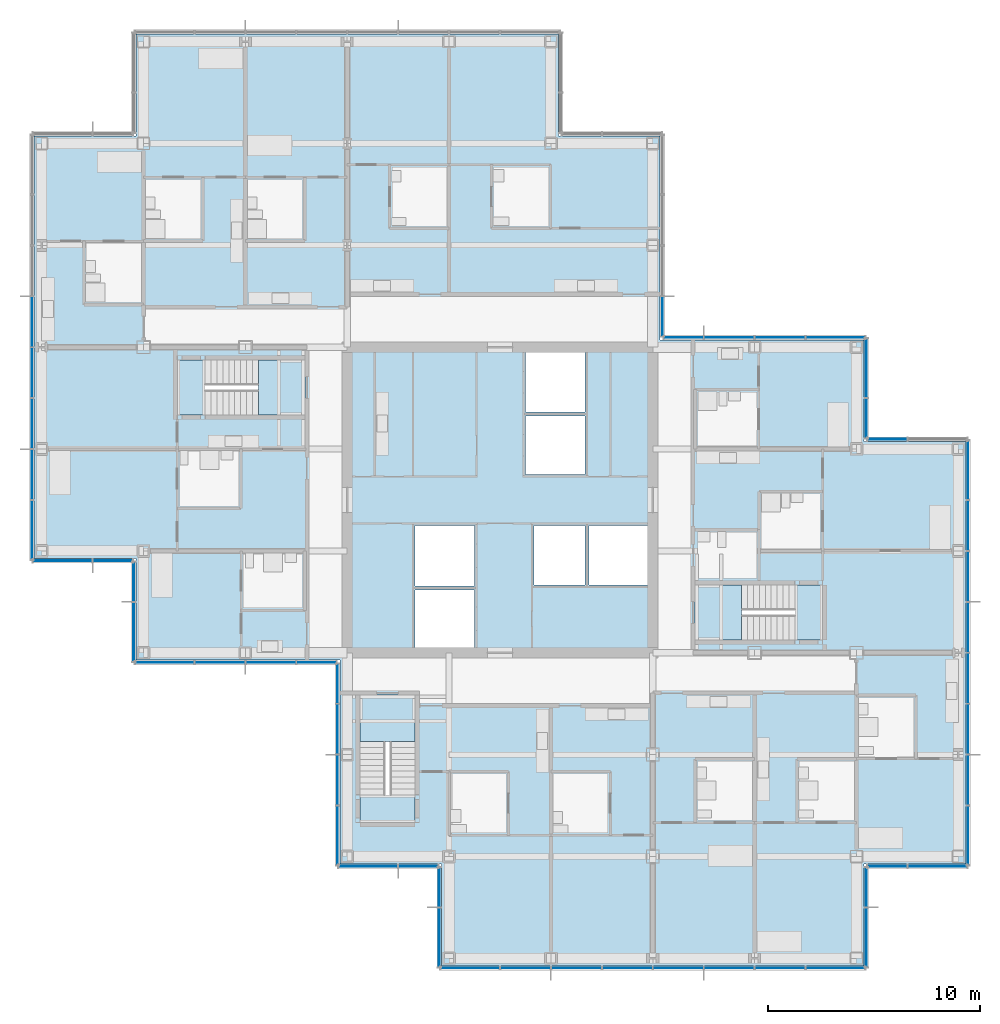
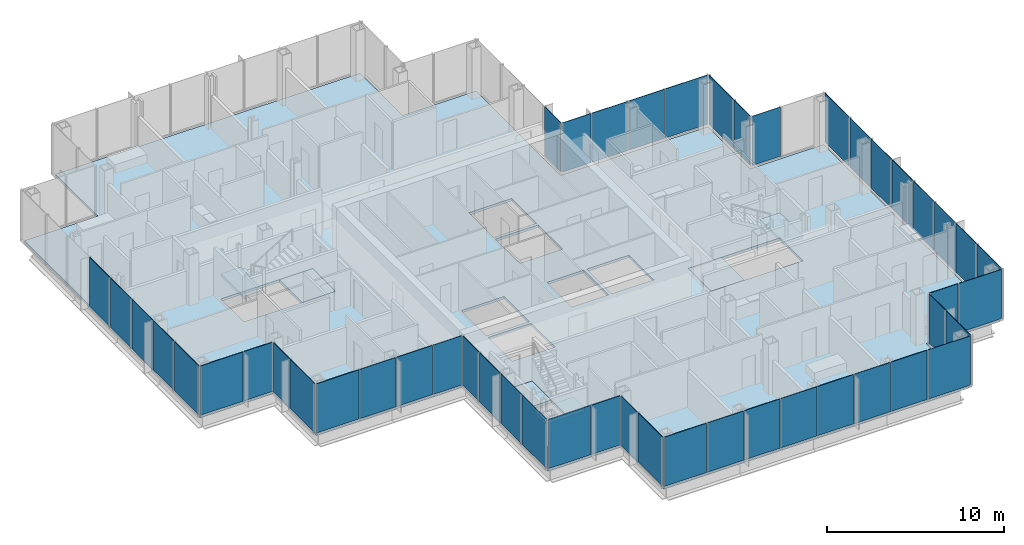
# One storey, part 11 of 19: 49 plates, 7 slabs, 18 elements without a shape of their own.
"""IFC4 building model written with IfcOpenShell, lengths in metres."""

from ifc_helpers import new_model, si_unit, direction, frame, origin, origin_2d, place, context, subcontext, project, spatial, polyline, rectangle, outline, extrude, material, layer, layer_set, type_object, element, aggregate, save


model = new_model("IFC4")

# Units and contexts
model_context = context("Model", 3, precision=1e-05, world=origin(), true_north=direction((0.0, 1.0)))
body_context = subcontext(model_context, "Body", "Model", "MODEL_VIEW")
ifc_project = project(units=[si_unit("LENGTHUNIT", "METRE"), si_unit("AREAUNIT", "SQUARE_METRE"), si_unit("VOLUMEUNIT", "CUBIC_METRE"), si_unit("PLANEANGLEUNIT", "RADIAN"), si_unit("MASSUNIT", "GRAM", prefix="KILO")], contexts=[model_context])

# Site, building, storey
site_placement = place(None, origin())
site = spatial("IfcSite", under=ifc_project, at=site_placement, CompositionType="ELEMENT")
building_placement = place(site_placement, origin())
building = spatial("IfcBuilding", under=site, at=building_placement, Name="Kvirike Care Tower", CompositionType="ELEMENT")
storey_placement = place(building_placement, frame((0.0, 0.0, 108.5)))
storey = spatial("IfcBuildingStorey", under=building, at=storey_placement, Name="L29", CompositionType="ELEMENT", Elevation=108.5)

# Slab
ifc_material_1 = material(Name="Concrete C35/45", Category="concrete")
ifc_layer_1 = layer(ifc_material_1, 0.169921875)
ifc_layer_set_1 = layer_set([ifc_layer_1], Name="FLOOR SLAB 170")
slab_type_1 = type_object("IfcSlabType", Name="FLOOR SLAB 170", PredefinedType="FLOOR", material=ifc_layer_set_1)
slab_1_placement = place(storey_placement, frame((0.0, 0.0, -0.169921875)))
element("IfcSlab", 1, at=slab_1_placement, inside=storey, type_object=slab_type_1, Name="Floor slab L29", PredefinedType="FLOOR", context=body_context, shape_type="SweptSolid", body=[
    extrude(outline(polyline([(43.550048828125, 18.85009765625), (43.550048828125, 38.75), (38.75, 38.75), (38.75, 43.550048828125), (29.14990234375, 43.550048828125), (29.14990234375, 53.14990234375), (24.35009765625, 53.14990234375), (24.35009765625, 57.949951171875), (4.449951171875, 57.949951171875), (4.449951171875, 53.14990234375), (-0.35009765625, 53.14990234375), (-0.35009765625, 33.25), (4.449951171875, 33.25), (4.449951171875, 28.449951171875), (14.050048828125, 28.449951171875), (14.050048828125, 18.85009765625), (18.85009765625, 18.85009765625), (18.85009765625, 14.050048828125), (38.75, 14.050048828125), (38.75, 18.85009765625), (43.550048828125, 18.85009765625)]), holes=[polyline([(17.60009765625, 29.050048828125), (17.60009765625, 31.75), (20.39990234375, 31.75), (20.39990234375, 29.050048828125), (17.60009765625, 29.050048828125)]), polyline([(17.60009765625, 31.949951171875), (17.60009765625, 34.800048828125), (20.39990234375, 34.800048828125), (20.39990234375, 31.949951171875), (17.60009765625, 31.949951171875)]), polyline([(22.800048828125, 37.199951171875), (22.800048828125, 39.949951171875), (25.60009765625, 39.949951171875), (25.60009765625, 37.199951171875), (22.800048828125, 37.199951171875)]), polyline([(22.800048828125, 40.14990234375), (22.800048828125, 42.949951171875), (25.60009765625, 42.949951171875), (25.60009765625, 40.14990234375), (22.800048828125, 40.14990234375)]), polyline([(23.199951171875, 32.0), (23.199951171875, 34.800048828125), (25.60009765625, 34.800048828125), (25.60009765625, 32.0), (23.199951171875, 32.0)]), polyline([(25.800048828125, 32.0), (25.800048828125, 34.800048828125), (28.550048828125, 34.800048828125), (28.550048828125, 32.0), (25.800048828125, 32.0)]), polyline([(12.39990234375, 42.60009765625), (12.39990234375, 40.0), (6.39990234375, 40.0), (6.39990234375, 42.60009765625), (12.39990234375, 42.60009765625)]), polyline([(30.800048828125, 29.39990234375), (30.800048828125, 32.0), (36.800048828125, 32.0), (36.800048828125, 29.39990234375), (30.800048828125, 29.39990234375)]), polyline([(15.0, 26.800048828125), (17.60009765625, 26.800048828125), (17.60009765625, 20.800048828125), (15.0, 20.800048828125), (15.0, 26.800048828125)])]), origin(), (0.0, 0.0, 1.0), 0.169921875),
])

# Stair, slabs
ifc_material_2 = material(Name="Concrete C35/45", Category="concrete")
stair_type = type_object("IfcStairType", Name="STAIR 20 RISERS", PredefinedType="HALF_TURN_STAIR", material=ifc_material_2)
stair_1_placement = place(storey_placement, origin())
stair_1 = element("IfcStair", 2, at=stair_1_placement, inside=storey, type_object=stair_type, Name="Stair 1 L29", PredefinedType="HALF_TURN_STAIR")
ifc_material_3 = material(Name="Concrete C35/45", Category="concrete")
ifc_layer_2 = layer(ifc_material_3, 0.199951171875)
ifc_layer_set_2 = layer_set([ifc_layer_2], Name="STAIR LANDING 200")
slab_type_2 = type_object("IfcSlabType", Name="STAIR LANDING 200", PredefinedType="LANDING", material=ifc_layer_set_2)
slab_2_placement = place(storey_placement, frame((0.0, 0.0, -0.199951171875)))
slab_2 = element("IfcSlab", 3, at=slab_2_placement, type_object=slab_type_2, Name="Stair S1 floor landing L29", PredefinedType="LANDING", context=body_context, shape_type="SweptSolid", body=[
    extrude(outline(polyline([(10.219970703125, 42.60009765625), (10.219970703125, 40.0), (12.39990234375, 40.0), (12.39990234375, 42.60009765625), (10.219970703125, 42.60009765625)])), origin(), (0.0, 0.0, 1.0), 0.199951171875),
])
slab_3_placement = place(storey_placement, frame((0.0, 0.0, 1.550048828125)))
slab_3 = element("IfcSlab", 4, at=slab_3_placement, type_object=slab_type_2, Name="Stair S1 half landing L29-L30", PredefinedType="LANDING", context=body_context, shape_type="SweptSolid", body=[
    extrude(outline(polyline([(6.39990234375, 42.60009765625), (6.39990234375, 40.0), (7.699951171875, 40.0), (7.699951171875, 42.60009765625), (6.39990234375, 42.60009765625)])), origin(), (0.0, 0.0, 1.0), 0.199951171875),
])
aggregate(stair_1, [slab_2, slab_3])

stair_2_placement = place(storey_placement, origin())
stair_2 = element("IfcStair", 5, at=stair_2_placement, inside=storey, type_object=stair_type, Name="Stair 2 L29", PredefinedType="HALF_TURN_STAIR")
slab_4_placement = place(storey_placement, frame((0.0, 0.0, -0.199951171875)))
slab_4 = element("IfcSlab", 6, at=slab_4_placement, type_object=slab_type_2, Name="Stair S2 floor landing L29", PredefinedType="LANDING", context=body_context, shape_type="SweptSolid", body=[
    extrude(outline(polyline([(32.97998046875, 29.39990234375), (32.97998046875, 32.0), (30.800048828125, 32.0), (30.800048828125, 29.39990234375), (32.97998046875, 29.39990234375)])), origin(), (0.0, 0.0, 1.0), 0.199951171875),
])
slab_5_placement = place(storey_placement, frame((0.0, 0.0, 1.550048828125)))
slab_5 = element("IfcSlab", 7, at=slab_5_placement, type_object=slab_type_2, Name="Stair S2 half landing L29-L30", PredefinedType="LANDING", context=body_context, shape_type="SweptSolid", body=[
    extrude(outline(polyline([(36.800048828125, 29.39990234375), (36.800048828125, 32.0), (35.5, 32.0), (35.5, 29.39990234375), (36.800048828125, 29.39990234375)])), origin(), (0.0, 0.0, 1.0), 0.199951171875),
])
aggregate(stair_2, [slab_4, slab_5])

stair_3_placement = place(storey_placement, origin())
stair_3 = element("IfcStair", 8, at=stair_3_placement, inside=storey, type_object=stair_type, Name="Stair 5 L29", PredefinedType="HALF_TURN_STAIR")
slab_6_placement = place(storey_placement, frame((0.0, 0.0, -0.199951171875)))
slab_6 = element("IfcSlab", 9, at=slab_6_placement, type_object=slab_type_2, Name="Stair S5 floor landing L29", PredefinedType="LANDING", context=body_context, shape_type="SweptSolid", body=[
    extrude(outline(polyline([(15.0, 24.6201171875), (17.60009765625, 24.6201171875), (17.60009765625, 26.800048828125), (15.0, 26.800048828125), (15.0, 24.6201171875)])), origin(), (0.0, 0.0, 1.0), 0.199951171875),
])
slab_7_placement = place(storey_placement, frame((0.0, 0.0, 1.550048828125)))
slab_7 = element("IfcSlab", 10, at=slab_7_placement, type_object=slab_type_2, Name="Stair S5 half landing L29-L30", PredefinedType="LANDING", context=body_context, shape_type="SweptSolid", body=[
    extrude(outline(polyline([(15.0, 20.800048828125), (17.60009765625, 20.800048828125), (17.60009765625, 22.10009765625), (15.0, 22.10009765625), (15.0, 20.800048828125)])), origin(), (0.0, 0.0, 1.0), 0.199951171875),
])
aggregate(stair_3, [slab_6, slab_7])

# Curtain wall, plates
ifc_material_4 = material(Name="Anodised aluminium stick system", Category="aluminium")
curtain_wall_type = type_object("IfcCurtainWallType", Name="CW-B STICK CURTAIN WALL", PredefinedType="NOTDEFINED", material=ifc_material_4)
curtain_wall_1_placement = place(storey_placement, origin())
curtain_wall_1 = element("IfcCurtainWall", 11, at=curtain_wall_1_placement, inside=storey, type_object=curtain_wall_type, Name="Curtain wall L29 face 1", PredefinedType="NOTDEFINED")
ifc_material_5 = material(Name="Tinted double glazed unit", Category="glass")
ifc_layer_3 = layer(ifc_material_5, 0.035888671875)
ifc_layer_set_3 = layer_set([ifc_layer_3], Name="TINTED VISION PANEL 36")
plate_type = type_object("IfcPlateType", Name="TINTED VISION PANEL 36", PredefinedType="CURTAIN_PANEL", material=ifc_layer_set_3)
plate_1_placement = place(storey_placement, frame((43.659912109375, 20.186279296875, 0.10009765625), z_axis=(0.0, 0.0, 1.0), x_axis=(0.0, 1.0, 0.0)))
plate_1 = element("IfcPlate", 12, at=plate_1_placement, type_object=plate_type, Name="CW-B panel L29 face 1.1", PredefinedType="CURTAIN_PANEL", context=body_context, shape_type="SweptSolid", body=[
    extrude(rectangle(XDim=2.762451171875, YDim=0.035888671875, at=origin_2d()), origin(), (0.0, 0.0, 1.0), 3.39990234375),
])
plate_2_placement = place(storey_placement, frame((43.659912109375, 22.800048828125, 0.10009765625), z_axis=(0.0, 0.0, 1.0), x_axis=(0.0, 1.0, 0.0)))
plate_2 = element("IfcPlate", 13, at=plate_2_placement, type_object=plate_type, Name="CW-B panel L29 face 1.2", PredefinedType="CURTAIN_PANEL", context=body_context, shape_type="SweptSolid", body=[
    extrude(rectangle(XDim=2.3349609375, YDim=0.035888671875, at=origin_2d()), origin(), (0.0, 0.0, 1.0), 3.39990234375),
])
plate_3_placement = place(storey_placement, frame((43.659912109375, 25.199951171875, 0.10009765625), z_axis=(0.0, 0.0, 1.0), x_axis=(0.0, 1.0, 0.0)))
plate_3 = element("IfcPlate", 14, at=plate_3_placement, type_object=plate_type, Name="CW-B panel L29 face 1.3", PredefinedType="CURTAIN_PANEL", context=body_context, shape_type="SweptSolid", body=[
    extrude(rectangle(XDim=2.3349609375, YDim=0.035888671875, at=origin_2d()), origin(), (0.0, 0.0, 1.0), 3.39990234375),
])
plate_4_placement = place(storey_placement, frame((43.659912109375, 27.60009765625, 0.10009765625), z_axis=(0.0, 0.0, 1.0), x_axis=(0.0, 1.0, 0.0)))
plate_4 = element("IfcPlate", 15, at=plate_4_placement, type_object=plate_type, Name="CW-B panel L29 face 1.4", PredefinedType="CURTAIN_PANEL", context=body_context, shape_type="SweptSolid", body=[
    extrude(rectangle(XDim=2.3349609375, YDim=0.035888671875, at=origin_2d()), origin(), (0.0, 0.0, 1.0), 3.39990234375),
])
plate_5_placement = place(storey_placement, frame((43.659912109375, 30.0, 0.10009765625), z_axis=(0.0, 0.0, 1.0), x_axis=(0.0, 1.0, 0.0)))
plate_5 = element("IfcPlate", 16, at=plate_5_placement, type_object=plate_type, Name="CW-B panel L29 face 1.5", PredefinedType="CURTAIN_PANEL", context=body_context, shape_type="SweptSolid", body=[
    extrude(rectangle(XDim=2.3349609375, YDim=0.035888671875, at=origin_2d()), origin(), (0.0, 0.0, 1.0), 3.39990234375),
])
plate_6_placement = place(storey_placement, frame((43.659912109375, 32.39990234375, 0.10009765625), z_axis=(0.0, 0.0, 1.0), x_axis=(0.0, 1.0, 0.0)))
plate_6 = element("IfcPlate", 17, at=plate_6_placement, type_object=plate_type, Name="CW-B panel L29 face 1.6", PredefinedType="CURTAIN_PANEL", context=body_context, shape_type="SweptSolid", body=[
    extrude(rectangle(XDim=2.3349609375, YDim=0.035888671875, at=origin_2d()), origin(), (0.0, 0.0, 1.0), 3.39990234375),
])
plate_7_placement = place(storey_placement, frame((43.659912109375, 34.800048828125, 0.10009765625), z_axis=(0.0, 0.0, 1.0), x_axis=(0.0, 1.0, 0.0)))
plate_7 = element("IfcPlate", 18, at=plate_7_placement, type_object=plate_type, Name="CW-B panel L29 face 1.7", PredefinedType="CURTAIN_PANEL", context=body_context, shape_type="SweptSolid", body=[
    extrude(rectangle(XDim=2.3349609375, YDim=0.035888671875, at=origin_2d()), origin(), (0.0, 0.0, 1.0), 3.39990234375),
])
plate_8_placement = place(storey_placement, frame((43.659912109375, 37.413818359375, 0.10009765625), z_axis=(0.0, 0.0, 1.0), x_axis=(0.0, 1.0, 0.0)))
plate_8 = element("IfcPlate", 19, at=plate_8_placement, type_object=plate_type, Name="CW-B panel L29 face 1.8", PredefinedType="CURTAIN_PANEL", context=body_context, shape_type="SweptSolid", body=[
    extrude(rectangle(XDim=2.762451171875, YDim=0.035888671875, at=origin_2d()), origin(), (0.0, 0.0, 1.0), 3.39990234375),
])
aggregate(curtain_wall_1, [plate_1, plate_2, plate_3, plate_4, plate_5, plate_6, plate_7, plate_8])

# Curtain wall, plate
curtain_wall_2_placement = place(storey_placement, origin())
curtain_wall_2 = element("IfcCurtainWall", 20, at=curtain_wall_2_placement, inside=storey, type_object=curtain_wall_type, Name="Curtain wall L29 face 2", PredefinedType="NOTDEFINED")
plate_9_placement = place(storey_placement, frame((39.84619140625, 38.860107421875, 0.10009765625), z_axis=(0.0, 0.0, 1.0), x_axis=(-1.0, 0.0, 0.0)))
plate_9 = element("IfcPlate", 21, at=plate_9_placement, type_object=plate_type, Name="CW-B panel L29 face 2.2", PredefinedType="CURTAIN_PANEL", context=body_context, shape_type="SweptSolid", body=[
    extrude(rectangle(XDim=1.842529296875, YDim=0.035888671875, at=origin_2d()), origin(), (0.0, 0.0, 1.0), 3.39990234375),
])
aggregate(curtain_wall_2, [plate_9])

# Curtain wall, plates
curtain_wall_3_placement = place(storey_placement, origin())
curtain_wall_3 = element("IfcCurtainWall", 22, at=curtain_wall_3_placement, inside=storey, type_object=curtain_wall_type, Name="Curtain wall L29 face 3", PredefinedType="NOTDEFINED")
plate_10_placement = place(storey_placement, frame((38.860107421875, 39.84619140625, 0.10009765625), z_axis=(0.0, 0.0, 1.0), x_axis=(0.0, 1.0, 0.0)))
plate_10 = element("IfcPlate", 23, at=plate_10_placement, type_object=plate_type, Name="CW-B panel L29 face 3.1", PredefinedType="CURTAIN_PANEL", context=body_context, shape_type="SweptSolid", body=[
    extrude(rectangle(XDim=1.842529296875, YDim=0.035888671875, at=origin_2d()), origin(), (0.0, 0.0, 1.0), 3.39990234375),
])
plate_11_placement = place(storey_placement, frame((38.860107421875, 42.2138671875, 0.10009765625), z_axis=(0.0, 0.0, 1.0), x_axis=(0.0, 1.0, 0.0)))
plate_11 = element("IfcPlate", 24, at=plate_11_placement, type_object=plate_type, Name="CW-B panel L29 face 3.2", PredefinedType="CURTAIN_PANEL", context=body_context, shape_type="SweptSolid", body=[
    extrude(rectangle(XDim=2.762451171875, YDim=0.035888671875, at=origin_2d()), origin(), (0.0, 0.0, 1.0), 3.39990234375),
])
aggregate(curtain_wall_3, [plate_10, plate_11])

curtain_wall_4_placement = place(storey_placement, origin())
curtain_wall_4 = element("IfcCurtainWall", 25, at=curtain_wall_4_placement, inside=storey, type_object=curtain_wall_type, Name="Curtain wall L29 face 4", PredefinedType="NOTDEFINED")
plate_12_placement = place(storey_placement, frame((37.413818359375, 43.659912109375, 0.10009765625), z_axis=(0.0, 0.0, 1.0), x_axis=(-1.0, 0.0, 0.0)))
plate_12 = element("IfcPlate", 26, at=plate_12_placement, type_object=plate_type, Name="CW-B panel L29 face 4.1", PredefinedType="CURTAIN_PANEL", context=body_context, shape_type="SweptSolid", body=[
    extrude(rectangle(XDim=2.762451171875, YDim=0.035888671875, at=origin_2d()), origin(), (0.0, 0.0, 1.0), 3.39990234375),
])
plate_13_placement = place(storey_placement, frame((34.800048828125, 43.659912109375, 0.10009765625), z_axis=(0.0, 0.0, 1.0), x_axis=(-1.0, 0.0, 0.0)))
plate_13 = element("IfcPlate", 27, at=plate_13_placement, type_object=plate_type, Name="CW-B panel L29 face 4.2", PredefinedType="CURTAIN_PANEL", context=body_context, shape_type="SweptSolid", body=[
    extrude(rectangle(XDim=2.3349609375, YDim=0.035888671875, at=origin_2d()), origin(), (0.0, 0.0, 1.0), 3.39990234375),
])
plate_14_placement = place(storey_placement, frame((32.39990234375, 43.659912109375, 0.10009765625), z_axis=(0.0, 0.0, 1.0), x_axis=(-1.0, 0.0, 0.0)))
plate_14 = element("IfcPlate", 28, at=plate_14_placement, type_object=plate_type, Name="CW-B panel L29 face 4.3", PredefinedType="CURTAIN_PANEL", context=body_context, shape_type="SweptSolid", body=[
    extrude(rectangle(XDim=2.3349609375, YDim=0.035888671875, at=origin_2d()), origin(), (0.0, 0.0, 1.0), 3.39990234375),
])
plate_15_placement = place(storey_placement, frame((30.246337890625, 43.659912109375, 0.10009765625), z_axis=(0.0, 0.0, 1.0), x_axis=(-1.0, 0.0, 0.0)))
plate_15 = element("IfcPlate", 29, at=plate_15_placement, type_object=plate_type, Name="CW-B panel L29 face 4.4", PredefinedType="CURTAIN_PANEL", context=body_context, shape_type="SweptSolid", body=[
    extrude(rectangle(XDim=1.842529296875, YDim=0.035888671875, at=origin_2d()), origin(), (0.0, 0.0, 1.0), 3.39990234375),
])
aggregate(curtain_wall_4, [plate_12, plate_13, plate_14, plate_15])

# Curtain wall, plate
curtain_wall_5_placement = place(storey_placement, origin())
curtain_wall_5 = element("IfcCurtainWall", 30, at=curtain_wall_5_placement, inside=storey, type_object=curtain_wall_type, Name="Curtain wall L29 face 5", PredefinedType="NOTDEFINED")
plate_16_placement = place(storey_placement, frame((29.260009765625, 44.646240234375, 0.10009765625), z_axis=(0.0, 0.0, 1.0), x_axis=(0.0, 1.0, 0.0)))
plate_16 = element("IfcPlate", 31, at=plate_16_placement, type_object=plate_type, Name="CW-B panel L29 face 5.1", PredefinedType="CURTAIN_PANEL", context=body_context, shape_type="SweptSolid", body=[
    extrude(rectangle(XDim=1.842529296875, YDim=0.035888671875, at=origin_2d()), origin(), (0.0, 0.0, 1.0), 3.39990234375),
])
aggregate(curtain_wall_5, [plate_16])

# Curtain wall, plates
curtain_wall_6_placement = place(storey_placement, origin())
curtain_wall_6 = element("IfcCurtainWall", 32, at=curtain_wall_6_placement, inside=storey, type_object=curtain_wall_type, Name="Curtain wall L29 face 11", PredefinedType="NOTDEFINED")
plate_17_placement = place(storey_placement, frame((-0.4599609375, 44.39990234375, 0.10009765625), z_axis=(0.0, 0.0, 1.0), x_axis=(0.0, -1.0, 0.0)))
plate_17 = element("IfcPlate", 33, at=plate_17_placement, type_object=plate_type, Name="CW-B panel L29 face 11.4", PredefinedType="CURTAIN_PANEL", context=body_context, shape_type="SweptSolid", body=[
    extrude(rectangle(XDim=2.3349609375, YDim=0.035888671875, at=origin_2d()), origin(), (0.0, 0.0, 1.0), 3.39990234375),
])
plate_18_placement = place(storey_placement, frame((-0.4599609375, 42.0, 0.10009765625), z_axis=(0.0, 0.0, 1.0), x_axis=(0.0, -1.0, 0.0)))
plate_18 = element("IfcPlate", 34, at=plate_18_placement, type_object=plate_type, Name="CW-B panel L29 face 11.5", PredefinedType="CURTAIN_PANEL", context=body_context, shape_type="SweptSolid", body=[
    extrude(rectangle(XDim=2.3349609375, YDim=0.035888671875, at=origin_2d()), origin(), (0.0, 0.0, 1.0), 3.39990234375),
])
plate_19_placement = place(storey_placement, frame((-0.4599609375, 39.60009765625, 0.10009765625), z_axis=(0.0, 0.0, 1.0), x_axis=(0.0, -1.0, 0.0)))
plate_19 = element("IfcPlate", 35, at=plate_19_placement, type_object=plate_type, Name="CW-B panel L29 face 11.6", PredefinedType="CURTAIN_PANEL", context=body_context, shape_type="SweptSolid", body=[
    extrude(rectangle(XDim=2.3349609375, YDim=0.035888671875, at=origin_2d()), origin(), (0.0, 0.0, 1.0), 3.39990234375),
])
plate_20_placement = place(storey_placement, frame((-0.4599609375, 37.199951171875, 0.10009765625), z_axis=(0.0, 0.0, 1.0), x_axis=(0.0, -1.0, 0.0)))
plate_20 = element("IfcPlate", 36, at=plate_20_placement, type_object=plate_type, Name="CW-B panel L29 face 11.7", PredefinedType="CURTAIN_PANEL", context=body_context, shape_type="SweptSolid", body=[
    extrude(rectangle(XDim=2.3349609375, YDim=0.035888671875, at=origin_2d()), origin(), (0.0, 0.0, 1.0), 3.39990234375),
])
plate_21_placement = place(storey_placement, frame((-0.4599609375, 34.586181640625, 0.10009765625), z_axis=(0.0, 0.0, 1.0), x_axis=(0.0, -1.0, 0.0)))
plate_21 = element("IfcPlate", 37, at=plate_21_placement, type_object=plate_type, Name="CW-B panel L29 face 11.8", PredefinedType="CURTAIN_PANEL", context=body_context, shape_type="SweptSolid", body=[
    extrude(rectangle(XDim=2.762451171875, YDim=0.035888671875, at=origin_2d()), origin(), (0.0, 0.0, 1.0), 3.39990234375),
])
aggregate(curtain_wall_6, [plate_17, plate_18, plate_19, plate_20, plate_21])

curtain_wall_7_placement = place(storey_placement, origin())
curtain_wall_7 = element("IfcCurtainWall", 38, at=curtain_wall_7_placement, inside=storey, type_object=curtain_wall_type, Name="Curtain wall L29 face 12", PredefinedType="NOTDEFINED")
plate_22_placement = place(storey_placement, frame((0.986328125, 33.139892578125, 0.10009765625), z_axis=(0.0, 0.0, 1.0), x_axis=(1.0, 0.0, 0.0)))
plate_22 = element("IfcPlate", 39, at=plate_22_placement, type_object=plate_type, Name="CW-B panel L29 face 12.1", PredefinedType="CURTAIN_PANEL", context=body_context, shape_type="SweptSolid", body=[
    extrude(rectangle(XDim=2.762451171875, YDim=0.035888671875, at=origin_2d()), origin(), (0.0, 0.0, 1.0), 3.39990234375),
])
plate_23_placement = place(storey_placement, frame((3.353759765625, 33.139892578125, 0.10009765625), z_axis=(0.0, 0.0, 1.0), x_axis=(1.0, 0.0, 0.0)))
plate_23 = element("IfcPlate", 40, at=plate_23_placement, type_object=plate_type, Name="CW-B panel L29 face 12.2", PredefinedType="CURTAIN_PANEL", context=body_context, shape_type="SweptSolid", body=[
    extrude(rectangle(XDim=1.842529296875, YDim=0.035888671875, at=origin_2d()), origin(), (0.0, 0.0, 1.0), 3.39990234375),
])
aggregate(curtain_wall_7, [plate_22, plate_23])

curtain_wall_8_placement = place(storey_placement, origin())
curtain_wall_8 = element("IfcCurtainWall", 41, at=curtain_wall_8_placement, inside=storey, type_object=curtain_wall_type, Name="Curtain wall L29 face 13", PredefinedType="NOTDEFINED")
plate_24_placement = place(storey_placement, frame((4.340087890625, 32.15380859375, 0.10009765625), z_axis=(0.0, 0.0, 1.0), x_axis=(0.0, -1.0, 0.0)))
plate_24 = element("IfcPlate", 42, at=plate_24_placement, type_object=plate_type, Name="CW-B panel L29 face 13.1", PredefinedType="CURTAIN_PANEL", context=body_context, shape_type="SweptSolid", body=[
    extrude(rectangle(XDim=1.842529296875, YDim=0.035888671875, at=origin_2d()), origin(), (0.0, 0.0, 1.0), 3.39990234375),
])
plate_25_placement = place(storey_placement, frame((4.340087890625, 29.7861328125, 0.10009765625), z_axis=(0.0, 0.0, 1.0), x_axis=(0.0, -1.0, 0.0)))
plate_25 = element("IfcPlate", 43, at=plate_25_placement, type_object=plate_type, Name="CW-B panel L29 face 13.2", PredefinedType="CURTAIN_PANEL", context=body_context, shape_type="SweptSolid", body=[
    extrude(rectangle(XDim=2.762451171875, YDim=0.035888671875, at=origin_2d()), origin(), (0.0, 0.0, 1.0), 3.39990234375),
])
aggregate(curtain_wall_8, [plate_24, plate_25])

curtain_wall_9_placement = place(storey_placement, origin())
curtain_wall_9 = element("IfcCurtainWall", 44, at=curtain_wall_9_placement, inside=storey, type_object=curtain_wall_type, Name="Curtain wall L29 face 14", PredefinedType="NOTDEFINED")
plate_26_placement = place(storey_placement, frame((5.7861328125, 28.340087890625, 0.10009765625), z_axis=(0.0, 0.0, 1.0), x_axis=(1.0, 0.0, 0.0)))
plate_26 = element("IfcPlate", 45, at=plate_26_placement, type_object=plate_type, Name="CW-B panel L29 face 14.1", PredefinedType="CURTAIN_PANEL", context=body_context, shape_type="SweptSolid", body=[
    extrude(rectangle(XDim=2.762451171875, YDim=0.035888671875, at=origin_2d()), origin(), (0.0, 0.0, 1.0), 3.39990234375),
])
plate_27_placement = place(storey_placement, frame((8.39990234375, 28.340087890625, 0.10009765625), z_axis=(0.0, 0.0, 1.0), x_axis=(1.0, 0.0, 0.0)))
plate_27 = element("IfcPlate", 46, at=plate_27_placement, type_object=plate_type, Name="CW-B panel L29 face 14.2", PredefinedType="CURTAIN_PANEL", context=body_context, shape_type="SweptSolid", body=[
    extrude(rectangle(XDim=2.3349609375, YDim=0.035888671875, at=origin_2d()), origin(), (0.0, 0.0, 1.0), 3.39990234375),
])
plate_28_placement = place(storey_placement, frame((10.800048828125, 28.340087890625, 0.10009765625), z_axis=(0.0, 0.0, 1.0), x_axis=(1.0, 0.0, 0.0)))
plate_28 = element("IfcPlate", 47, at=plate_28_placement, type_object=plate_type, Name="CW-B panel L29 face 14.3", PredefinedType="CURTAIN_PANEL", context=body_context, shape_type="SweptSolid", body=[
    extrude(rectangle(XDim=2.3349609375, YDim=0.035888671875, at=origin_2d()), origin(), (0.0, 0.0, 1.0), 3.39990234375),
])
plate_29_placement = place(storey_placement, frame((12.953857421875, 28.340087890625, 0.10009765625), z_axis=(0.0, 0.0, 1.0), x_axis=(1.0, 0.0, 0.0)))
plate_29 = element("IfcPlate", 48, at=plate_29_placement, type_object=plate_type, Name="CW-B panel L29 face 14.4", PredefinedType="CURTAIN_PANEL", context=body_context, shape_type="SweptSolid", body=[
    extrude(rectangle(XDim=1.842529296875, YDim=0.035888671875, at=origin_2d()), origin(), (0.0, 0.0, 1.0), 3.39990234375),
])
aggregate(curtain_wall_9, [plate_26, plate_27, plate_28, plate_29])

curtain_wall_10_placement = place(storey_placement, origin())
curtain_wall_10 = element("IfcCurtainWall", 49, at=curtain_wall_10_placement, inside=storey, type_object=curtain_wall_type, Name="Curtain wall L29 face 15", PredefinedType="NOTDEFINED")
plate_30_placement = place(storey_placement, frame((13.93994140625, 27.353759765625, 0.10009765625), z_axis=(0.0, 0.0, 1.0), x_axis=(0.0, -1.0, 0.0)))
plate_30 = element("IfcPlate", 50, at=plate_30_placement, type_object=plate_type, Name="CW-B panel L29 face 15.1", PredefinedType="CURTAIN_PANEL", context=body_context, shape_type="SweptSolid", body=[
    extrude(rectangle(XDim=1.842529296875, YDim=0.035888671875, at=origin_2d()), origin(), (0.0, 0.0, 1.0), 3.39990234375),
])
plate_31_placement = place(storey_placement, frame((13.93994140625, 25.199951171875, 0.10009765625), z_axis=(0.0, 0.0, 1.0), x_axis=(0.0, -1.0, 0.0)))
plate_31 = element("IfcPlate", 51, at=plate_31_placement, type_object=plate_type, Name="CW-B panel L29 face 15.2", PredefinedType="CURTAIN_PANEL", context=body_context, shape_type="SweptSolid", body=[
    extrude(rectangle(XDim=2.3349609375, YDim=0.035888671875, at=origin_2d()), origin(), (0.0, 0.0, 1.0), 3.39990234375),
])
plate_32_placement = place(storey_placement, frame((13.93994140625, 22.800048828125, 0.10009765625), z_axis=(0.0, 0.0, 1.0), x_axis=(0.0, -1.0, 0.0)))
plate_32 = element("IfcPlate", 52, at=plate_32_placement, type_object=plate_type, Name="CW-B panel L29 face 15.3", PredefinedType="CURTAIN_PANEL", context=body_context, shape_type="SweptSolid", body=[
    extrude(rectangle(XDim=2.3349609375, YDim=0.035888671875, at=origin_2d()), origin(), (0.0, 0.0, 1.0), 3.39990234375),
])
plate_33_placement = place(storey_placement, frame((13.93994140625, 20.186279296875, 0.10009765625), z_axis=(0.0, 0.0, 1.0), x_axis=(0.0, -1.0, 0.0)))
plate_33 = element("IfcPlate", 53, at=plate_33_placement, type_object=plate_type, Name="CW-B panel L29 face 15.4", PredefinedType="CURTAIN_PANEL", context=body_context, shape_type="SweptSolid", body=[
    extrude(rectangle(XDim=2.762451171875, YDim=0.035888671875, at=origin_2d()), origin(), (0.0, 0.0, 1.0), 3.39990234375),
])
aggregate(curtain_wall_10, [plate_30, plate_31, plate_32, plate_33])

curtain_wall_11_placement = place(storey_placement, origin())
curtain_wall_11 = element("IfcCurtainWall", 54, at=curtain_wall_11_placement, inside=storey, type_object=curtain_wall_type, Name="Curtain wall L29 face 16", PredefinedType="NOTDEFINED")
plate_34_placement = place(storey_placement, frame((15.38623046875, 18.739990234375, 0.10009765625), z_axis=(0.0, 0.0, 1.0), x_axis=(1.0, 0.0, 0.0)))
plate_34 = element("IfcPlate", 55, at=plate_34_placement, type_object=plate_type, Name="CW-B panel L29 face 16.1", PredefinedType="CURTAIN_PANEL", context=body_context, shape_type="SweptSolid", body=[
    extrude(rectangle(XDim=2.762451171875, YDim=0.035888671875, at=origin_2d()), origin(), (0.0, 0.0, 1.0), 3.39990234375),
])
plate_35_placement = place(storey_placement, frame((17.753662109375, 18.739990234375, 0.10009765625), z_axis=(0.0, 0.0, 1.0), x_axis=(1.0, 0.0, 0.0)))
plate_35 = element("IfcPlate", 56, at=plate_35_placement, type_object=plate_type, Name="CW-B panel L29 face 16.2", PredefinedType="CURTAIN_PANEL", context=body_context, shape_type="SweptSolid", body=[
    extrude(rectangle(XDim=1.842529296875, YDim=0.035888671875, at=origin_2d()), origin(), (0.0, 0.0, 1.0), 3.39990234375),
])
aggregate(curtain_wall_11, [plate_34, plate_35])

curtain_wall_12_placement = place(storey_placement, origin())
curtain_wall_12 = element("IfcCurtainWall", 57, at=curtain_wall_12_placement, inside=storey, type_object=curtain_wall_type, Name="Curtain wall L29 face 17", PredefinedType="NOTDEFINED")
plate_36_placement = place(storey_placement, frame((18.739990234375, 17.753662109375, 0.10009765625), z_axis=(0.0, 0.0, 1.0), x_axis=(0.0, -1.0, 0.0)))
plate_36 = element("IfcPlate", 58, at=plate_36_placement, type_object=plate_type, Name="CW-B panel L29 face 17.1", PredefinedType="CURTAIN_PANEL", context=body_context, shape_type="SweptSolid", body=[
    extrude(rectangle(XDim=1.842529296875, YDim=0.035888671875, at=origin_2d()), origin(), (0.0, 0.0, 1.0), 3.39990234375),
])
plate_37_placement = place(storey_placement, frame((18.739990234375, 15.38623046875, 0.10009765625), z_axis=(0.0, 0.0, 1.0), x_axis=(0.0, -1.0, 0.0)))
plate_37 = element("IfcPlate", 59, at=plate_37_placement, type_object=plate_type, Name="CW-B panel L29 face 17.2", PredefinedType="CURTAIN_PANEL", context=body_context, shape_type="SweptSolid", body=[
    extrude(rectangle(XDim=2.762451171875, YDim=0.035888671875, at=origin_2d()), origin(), (0.0, 0.0, 1.0), 3.39990234375),
])
aggregate(curtain_wall_12, [plate_36, plate_37])

curtain_wall_13_placement = place(storey_placement, origin())
curtain_wall_13 = element("IfcCurtainWall", 60, at=curtain_wall_13_placement, inside=storey, type_object=curtain_wall_type, Name="Curtain wall L29 face 18", PredefinedType="NOTDEFINED")
plate_38_placement = place(storey_placement, frame((20.186279296875, 13.93994140625, 0.10009765625), z_axis=(0.0, 0.0, 1.0), x_axis=(1.0, 0.0, 0.0)))
plate_38 = element("IfcPlate", 61, at=plate_38_placement, type_object=plate_type, Name="CW-B panel L29 face 18.1", PredefinedType="CURTAIN_PANEL", context=body_context, shape_type="SweptSolid", body=[
    extrude(rectangle(XDim=2.762451171875, YDim=0.035888671875, at=origin_2d()), origin(), (0.0, 0.0, 1.0), 3.39990234375),
])
plate_39_placement = place(storey_placement, frame((22.800048828125, 13.93994140625, 0.10009765625), z_axis=(0.0, 0.0, 1.0), x_axis=(1.0, 0.0, 0.0)))
plate_39 = element("IfcPlate", 62, at=plate_39_placement, type_object=plate_type, Name="CW-B panel L29 face 18.2", PredefinedType="CURTAIN_PANEL", context=body_context, shape_type="SweptSolid", body=[
    extrude(rectangle(XDim=2.3349609375, YDim=0.035888671875, at=origin_2d()), origin(), (0.0, 0.0, 1.0), 3.39990234375),
])
plate_40_placement = place(storey_placement, frame((25.199951171875, 13.93994140625, 0.10009765625), z_axis=(0.0, 0.0, 1.0), x_axis=(1.0, 0.0, 0.0)))
plate_40 = element("IfcPlate", 63, at=plate_40_placement, type_object=plate_type, Name="CW-B panel L29 face 18.3", PredefinedType="CURTAIN_PANEL", context=body_context, shape_type="SweptSolid", body=[
    extrude(rectangle(XDim=2.3349609375, YDim=0.035888671875, at=origin_2d()), origin(), (0.0, 0.0, 1.0), 3.39990234375),
])
plate_41_placement = place(storey_placement, frame((27.60009765625, 13.93994140625, 0.10009765625), z_axis=(0.0, 0.0, 1.0), x_axis=(1.0, 0.0, 0.0)))
plate_41 = element("IfcPlate", 64, at=plate_41_placement, type_object=plate_type, Name="CW-B panel L29 face 18.4", PredefinedType="CURTAIN_PANEL", context=body_context, shape_type="SweptSolid", body=[
    extrude(rectangle(XDim=2.3349609375, YDim=0.035888671875, at=origin_2d()), origin(), (0.0, 0.0, 1.0), 3.39990234375),
])
plate_42_placement = place(storey_placement, frame((30.0, 13.93994140625, 0.10009765625), z_axis=(0.0, 0.0, 1.0), x_axis=(1.0, 0.0, 0.0)))
plate_42 = element("IfcPlate", 65, at=plate_42_placement, type_object=plate_type, Name="CW-B panel L29 face 18.5", PredefinedType="CURTAIN_PANEL", context=body_context, shape_type="SweptSolid", body=[
    extrude(rectangle(XDim=2.3349609375, YDim=0.035888671875, at=origin_2d()), origin(), (0.0, 0.0, 1.0), 3.39990234375),
])
plate_43_placement = place(storey_placement, frame((32.39990234375, 13.93994140625, 0.10009765625), z_axis=(0.0, 0.0, 1.0), x_axis=(1.0, 0.0, 0.0)))
plate_43 = element("IfcPlate", 66, at=plate_43_placement, type_object=plate_type, Name="CW-B panel L29 face 18.6", PredefinedType="CURTAIN_PANEL", context=body_context, shape_type="SweptSolid", body=[
    extrude(rectangle(XDim=2.3349609375, YDim=0.035888671875, at=origin_2d()), origin(), (0.0, 0.0, 1.0), 3.39990234375),
])
plate_44_placement = place(storey_placement, frame((34.800048828125, 13.93994140625, 0.10009765625), z_axis=(0.0, 0.0, 1.0), x_axis=(1.0, 0.0, 0.0)))
plate_44 = element("IfcPlate", 67, at=plate_44_placement, type_object=plate_type, Name="CW-B panel L29 face 18.7", PredefinedType="CURTAIN_PANEL", context=body_context, shape_type="SweptSolid", body=[
    extrude(rectangle(XDim=2.3349609375, YDim=0.035888671875, at=origin_2d()), origin(), (0.0, 0.0, 1.0), 3.39990234375),
])
plate_45_placement = place(storey_placement, frame((37.413818359375, 13.93994140625, 0.10009765625), z_axis=(0.0, 0.0, 1.0), x_axis=(1.0, 0.0, 0.0)))
plate_45 = element("IfcPlate", 68, at=plate_45_placement, type_object=plate_type, Name="CW-B panel L29 face 18.8", PredefinedType="CURTAIN_PANEL", context=body_context, shape_type="SweptSolid", body=[
    extrude(rectangle(XDim=2.762451171875, YDim=0.035888671875, at=origin_2d()), origin(), (0.0, 0.0, 1.0), 3.39990234375),
])
aggregate(curtain_wall_13, [plate_38, plate_39, plate_40, plate_41, plate_42, plate_43, plate_44, plate_45])

curtain_wall_14_placement = place(storey_placement, origin())
curtain_wall_14 = element("IfcCurtainWall", 69, at=curtain_wall_14_placement, inside=storey, type_object=curtain_wall_type, Name="Curtain wall L29 face 19", PredefinedType="NOTDEFINED")
plate_46_placement = place(storey_placement, frame((38.860107421875, 15.38623046875, 0.10009765625), z_axis=(0.0, 0.0, 1.0), x_axis=(0.0, 1.0, 0.0)))
plate_46 = element("IfcPlate", 70, at=plate_46_placement, type_object=plate_type, Name="CW-B panel L29 face 19.1", PredefinedType="CURTAIN_PANEL", context=body_context, shape_type="SweptSolid", body=[
    extrude(rectangle(XDim=2.762451171875, YDim=0.035888671875, at=origin_2d()), origin(), (0.0, 0.0, 1.0), 3.39990234375),
])
plate_47_placement = place(storey_placement, frame((38.860107421875, 17.753662109375, 0.10009765625), z_axis=(0.0, 0.0, 1.0), x_axis=(0.0, 1.0, 0.0)))
plate_47 = element("IfcPlate", 71, at=plate_47_placement, type_object=plate_type, Name="CW-B panel L29 face 19.2", PredefinedType="CURTAIN_PANEL", context=body_context, shape_type="SweptSolid", body=[
    extrude(rectangle(XDim=1.842529296875, YDim=0.035888671875, at=origin_2d()), origin(), (0.0, 0.0, 1.0), 3.39990234375),
])
aggregate(curtain_wall_14, [plate_46, plate_47])

curtain_wall_15_placement = place(storey_placement, origin())
curtain_wall_15 = element("IfcCurtainWall", 72, at=curtain_wall_15_placement, inside=storey, type_object=curtain_wall_type, Name="Curtain wall L29 face 20", PredefinedType="NOTDEFINED")
plate_48_placement = place(storey_placement, frame((39.84619140625, 18.739990234375, 0.10009765625), z_axis=(0.0, 0.0, 1.0), x_axis=(1.0, 0.0, 0.0)))
plate_48 = element("IfcPlate", 73, at=plate_48_placement, type_object=plate_type, Name="CW-B panel L29 face 20.1", PredefinedType="CURTAIN_PANEL", context=body_context, shape_type="SweptSolid", body=[
    extrude(rectangle(XDim=1.842529296875, YDim=0.035888671875, at=origin_2d()), origin(), (0.0, 0.0, 1.0), 3.39990234375),
])
plate_49_placement = place(storey_placement, frame((42.2138671875, 18.739990234375, 0.10009765625), z_axis=(0.0, 0.0, 1.0), x_axis=(1.0, 0.0, 0.0)))
plate_49 = element("IfcPlate", 74, at=plate_49_placement, type_object=plate_type, Name="CW-B panel L29 face 20.2", PredefinedType="CURTAIN_PANEL", context=body_context, shape_type="SweptSolid", body=[
    extrude(rectangle(XDim=2.762451171875, YDim=0.035888671875, at=origin_2d()), origin(), (0.0, 0.0, 1.0), 3.39990234375),
])
aggregate(curtain_wall_15, [plate_48, plate_49])

save(model, "model.ifc")
